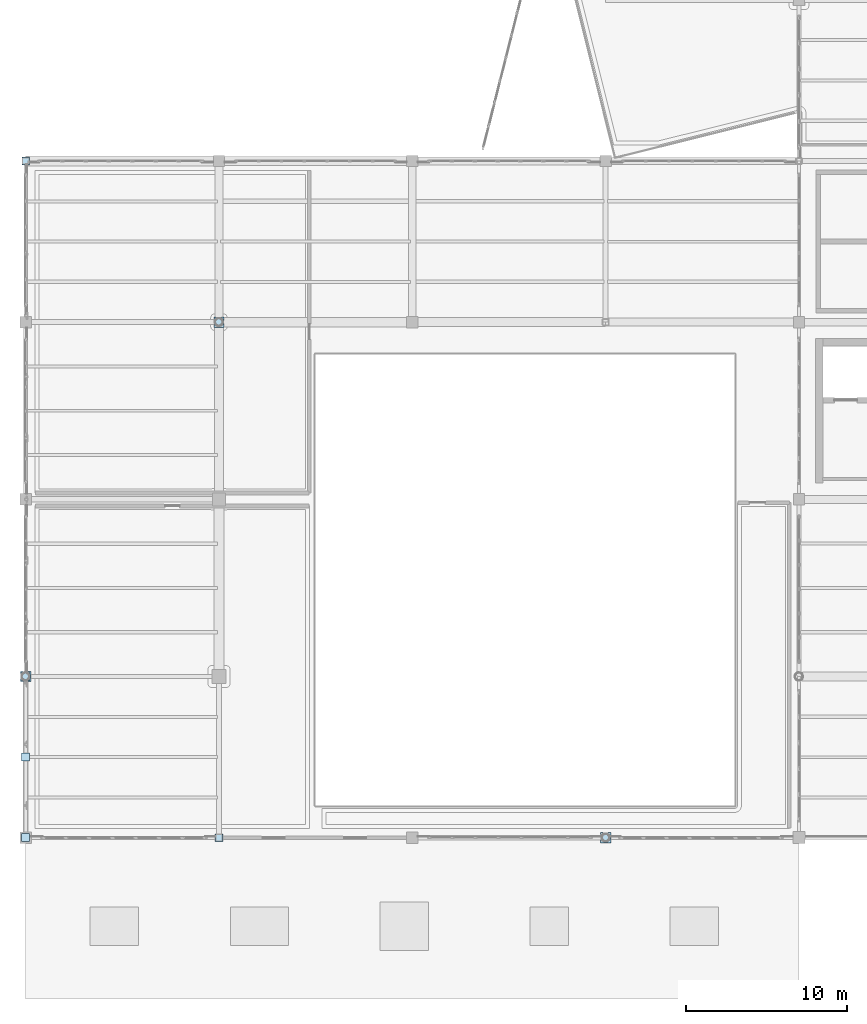
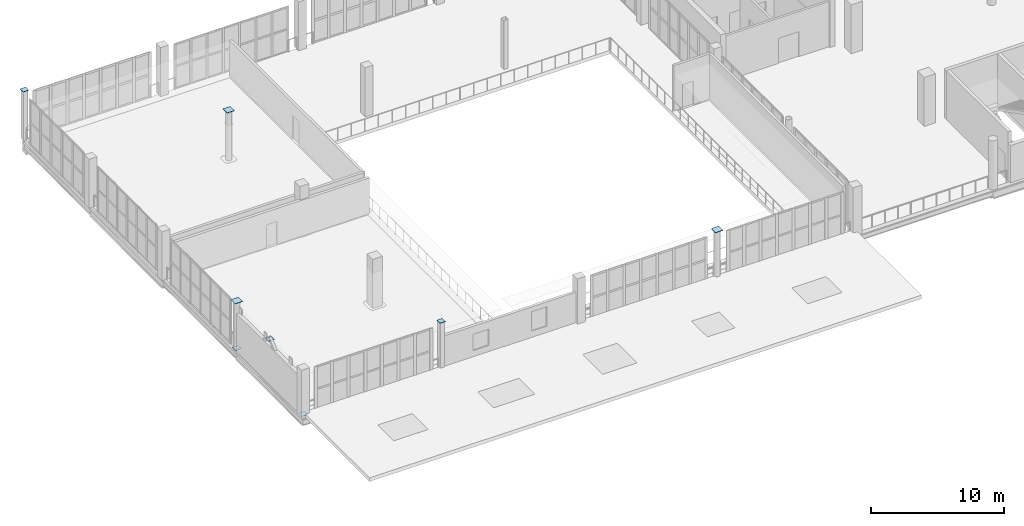
# One storey, part 77 of 108: 8 plates.
"""IFC4 building model written with IfcOpenShell, lengths in metres."""

import ifcopenshell
import ifcopenshell.guid

model = None  # the IFC model being written
_history = None  # IfcOwnerHistory: only IFC2X3 demands one
_inside = {}  # id of a spatial element -> (the spatial element, [elements in it])
_under = {}  # id of a project, library or spatial element -> (it, [spatial elements below it])
_declared = {}  # id of a project -> (the project, [libraries it declares])
_typed = {}  # id of a type object -> (the type object, [elements of that type])
_made_of = {}  # id of a material, layer set ... -> (it, [elements and type objects made of it])


def new_model(schema):
    """Start an empty IFC model of exactly this schema.

    Asked for "IFC4X3", IfcOpenShell would pick the latest addendum, in which some entities
    have other attributes; the version numbers below select the first issue.
    IFC2X3 requires an IfcOwnerHistory on every rooted entity: one is made here for all.
    """
    global model, _history
    if schema == "IFC4X3":
        model = ifcopenshell.file(schema_version=(4, 3, 0, 0))
    else:
        model = ifcopenshell.file(schema=schema)
    _inside.clear()
    _under.clear()
    _declared.clear()
    _typed.clear()
    _made_of.clear()
    _history = None
    if model.schema == "IFC2X3":
        org = make("IfcOrganization", Name="unknown")
        user = make(
            "IfcPersonAndOrganization",
            ThePerson=make("IfcPerson", FamilyName="unknown"),
            TheOrganization=org,
        )
        app = make(
            "IfcApplication",
            ApplicationDeveloper=org,
            Version="unknown",
            ApplicationFullName="unknown",
            ApplicationIdentifier="unknown",
        )
        _history = make(
            "IfcOwnerHistory",
            OwningUser=user,
            OwningApplication=app,
            ChangeAction="ADDED",
            CreationDate=0,
        )
    return model


def make(cls, **values):
    """One entity of the class cls with the attributes given. An attribute that is None is left unset."""
    return model.create_entity(
        cls, **{name: value for name, value in values.items() if value is not None}
    )


def rooted(cls, **values):
    """An entity with a GlobalId (a new one), such as an element, a storey or a relation."""
    return make(cls, GlobalId=ifcopenshell.guid.new(), OwnerHistory=_history, **values)


def si_unit(unit_type, name, prefix=None):
    """IfcSIUnit, for example si_unit("LENGTHUNIT", "METRE", prefix="MILLI")."""
    return make("IfcSIUnit", UnitType=unit_type, Prefix=prefix, Name=name)


def assignment(units):
    """IfcUnitAssignment: the units of a project."""
    return None if units is None else make("IfcUnitAssignment", Units=units)


def point(xyz):
    """IfcCartesianPoint."""
    return None if xyz is None else make("IfcCartesianPoint", Coordinates=xyz)


def direction(xyz):
    """IfcDirection."""
    return None if xyz is None else make("IfcDirection", DirectionRatios=xyz)


def frame(location, z_axis=None, x_axis=None):
    """IfcAxis2Placement3D, a coordinate frame: its origin and axes. An axis left out is left unset."""
    return make(
        "IfcAxis2Placement3D",
        Location=point(location),
        Axis=direction(z_axis),
        RefDirection=direction(x_axis),
    )


def frame_2d(location, x_axis=None):
    """IfcAxis2Placement2D, a coordinate frame in the plane: its origin and x axis."""
    return make(
        "IfcAxis2Placement2D", Location=point(location), RefDirection=direction(x_axis)
    )


def origin():
    """The frame at (0, 0, 0) with its axes left unset."""
    return frame((0.0, 0.0, 0.0))


def origin_2d():
    """The frame at (0, 0) in the plane with its x axis left unset."""
    return frame_2d((0.0, 0.0))


def place(relative_to, where):
    """IfcLocalPlacement: puts the frame where relative to a parent placement (None: the world)."""
    return make(
        "IfcLocalPlacement", PlacementRelTo=relative_to, RelativePlacement=where
    )


def context(
    kind, dimensions, precision=None, world=None, true_north=None, identifier=None
):
    """IfcGeometricRepresentationContext, for example the 3D "Model" context."""
    return make(
        "IfcGeometricRepresentationContext",
        ContextIdentifier=identifier,
        ContextType=kind,
        CoordinateSpaceDimension=dimensions,
        Precision=precision,
        WorldCoordinateSystem=world,
        TrueNorth=true_north,
    )


def subcontext(parent, identifier, kind, view, scale=None):
    """IfcGeometricRepresentationSubContext, for example "Body" below "Model"."""
    return make(
        "IfcGeometricRepresentationSubContext",
        ContextIdentifier=identifier,
        ContextType=kind,
        ParentContext=parent,
        TargetScale=scale,
        TargetView=view,
    )


def project(units=None, contexts=None):
    """IfcProject with its units and contexts."""
    return rooted(
        "IfcProject",
        Name="project",
        RepresentationContexts=contexts,
        UnitsInContext=assignment(units),
    )


def spatial(cls, under=None, at=None, **own):
    """A site, building, storey or space (cls), placed at a placement, below another one or the project."""
    s = rooted(cls, ObjectPlacement=at, **own)
    if under is not None:
        _under.setdefault(under.id(), (under, []))[1].append(s)
    return s


def profile(cls, at=None, kind="AREA", **sizes):
    """A parametric profile (cls). Its sizes go by their IFC names, for example OverallWidth=200.0."""
    return make(cls, ProfileType=kind, Position=at, **sizes)


def rectangle(**sizes):
    """IfcRectangleProfileDef."""
    return profile("IfcRectangleProfileDef", **sizes)


def extrude(swept, where, along, depth):
    """IfcExtrudedAreaSolid: the profile swept, set in the frame where, extruded along a direction by depth."""
    return make(
        "IfcExtrudedAreaSolid",
        SweptArea=swept,
        Position=where,
        ExtrudedDirection=direction(along),
        Depth=depth,
    )


def shape(context_of_items, identifier, shape_type, items):
    """IfcShapeRepresentation: the items that make up one representation, for example the "Body"."""
    return make(
        "IfcShapeRepresentation",
        ContextOfItems=context_of_items,
        RepresentationIdentifier=identifier,
        RepresentationType=shape_type,
        Items=items,
    )


def material(Name=None, Category=None):
    """IfcMaterial."""
    return make("IfcMaterial", Name=Name, Category=Category)


def layer(
    of_material, thickness, ventilated=None, Name=None, Category=None, Priority=None
):
    """IfcMaterialLayer: one layer of a wall or slab, of a material (None: an air gap)."""
    return make(
        "IfcMaterialLayer",
        Material=of_material,
        LayerThickness=thickness,
        IsVentilated=ventilated,
        Name=Name,
        Category=Category,
        Priority=Priority,
    )


def layer_set(layers, Name=None):
    """IfcMaterialLayerSet."""
    return make("IfcMaterialLayerSet", MaterialLayers=layers, LayerSetName=Name)


def made_of(thing, what):
    """Note that an element or type object is made of a material, layer set ...; save() writes the relation."""
    if what is not None:
        _made_of.setdefault(what.id(), (what, []))[1].append(thing)
    return thing


def type_object(cls, material=None, **own):
    """A type object (cls), such as IfcWallType, which elements share."""
    return made_of(rooted(cls, **own), material)


def element(
    cls,
    number,
    at=None,
    inside=None,
    cuts=None,
    type_object=None,
    material=None,
    context=None,
    identifier="Body",
    shape_type=None,
    held_by="IfcProductDefinitionShape",
    body=None,
    shapes=None,
    **own,
):
    """One element of the class cls, such as IfcWall. Its Tag is "e" and its number.

    at: its placement. inside: the storey or other place that contains it. cuts: it is an
    opening in that element (IfcRelVoidsElement). A single representation is given by context,
    identifier, shape_type and body (its items); several are given by shapes. held_by: the class
    of the entity that holds the representations. save() writes the other relations.
    """
    e = rooted(cls, Tag="e%d" % number, ObjectPlacement=at, **own)
    if body is not None:
        shapes = [shape(context, identifier, shape_type, body)]
    if shapes is not None:
        e.Representation = make(held_by, Representations=shapes)
    if inside is not None:
        _inside.setdefault(inside.id(), (inside, []))[1].append(e)
    if cuts is not None:
        rooted(
            "IfcRelVoidsElement", RelatingBuildingElement=cuts, RelatedOpeningElement=e
        )
    if type_object is not None:
        _typed.setdefault(type_object.id(), (type_object, []))[1].append(e)
    return made_of(e, material)


def aggregate(whole, parts):
    """IfcRelAggregates: a whole, such as a stair, and the parts it consists of."""
    return rooted("IfcRelAggregates", RelatingObject=whole, RelatedObjects=parts)


def save(model, path):
    """Write the relations noted so far, then the file.

    IfcRelAggregates (storeys below a building ...), IfcRelContainedInSpatialStructure (elements
    in a storey), IfcRelDefinesByType, IfcRelAssociatesMaterial and IfcRelDeclares: one each for
    every whole, place, type object, material and project.
    """
    for whole, parts in _under.values():
        aggregate(whole, parts)
    for where, things in _inside.values():
        rooted(
            "IfcRelContainedInSpatialStructure",
            RelatedElements=things,
            RelatingStructure=where,
        )
    for kind, things in _typed.values():
        rooted("IfcRelDefinesByType", RelatedObjects=things, RelatingType=kind)
    for what, things in _made_of.values():
        rooted("IfcRelAssociatesMaterial", RelatedObjects=things, RelatingMaterial=what)
    for by, libraries in _declared.values():
        rooted("IfcRelDeclares", RelatingContext=by, RelatedDefinitions=libraries)
    model.write(path)


model = new_model("IFC4")

# Units and contexts
model_context = context("Model", 3, precision=1e-05, world=origin(), true_north=direction((0.0, 1.0)))
body_context = subcontext(model_context, "Body", "Model", "MODEL_VIEW")
ifc_project = project(units=[si_unit("LENGTHUNIT", "METRE"), si_unit("AREAUNIT", "SQUARE_METRE"), si_unit("VOLUMEUNIT", "CUBIC_METRE"), si_unit("PLANEANGLEUNIT", "RADIAN"), si_unit("MASSUNIT", "GRAM", prefix="KILO")], contexts=[model_context])

# Site, building, storey
site_placement = place(None, origin())
site = spatial("IfcSite", under=ifc_project, at=site_placement, CompositionType="ELEMENT")
building_placement = place(site_placement, origin())
building = spatial("IfcBuilding", under=site, at=building_placement, Name="Brinegate Civic Arena", CompositionType="ELEMENT")
storey_placement = place(building_placement, frame((0.0, 0.0, 10.199951171875)))
storey = spatial("IfcBuildingStorey", under=building, at=storey_placement, Name="L02", CompositionType="ELEMENT", Elevation=10.199951171875)

# Plates
ifc_material = material(Name="Steel S355", Category="steel")
ifc_layer_1 = layer(ifc_material, 0.02392578125, Name="Steel S355")
ifc_layer_set_1 = layer_set([ifc_layer_1], Name="Steel S355")
plate_type_1 = type_object("IfcPlateType", Name="PLATE-BASE-480X24", PredefinedType="SHEET", material=ifc_layer_set_1)
for number, where, z_axis, x_axis, name in (
    (1, (0.0, 52.0, 4.4970703125), (0.0, 0.0, 1.0), (1.0, 0.0, 0.0), "Welded Steel Column Node Cap Plate CPL-TOP-002"),
    (2, (12.0, 10.0, 4.4970703125), (0.0, 0.0, 1.0), (1.0, 0.0, 0.0), "Welded Steel Column Node Cap Plate CPL-TOP-010"),
):
    element("IfcPlate", number, at=place(storey_placement, frame(where, z_axis=z_axis, x_axis=x_axis)), inside=storey, type_object=plate_type_1, Name=name, PredefinedType="SHEET", context=body_context, shape_type="SweptSolid", body=[
        extrude(rectangle(XDim=0.47998046875, YDim=0.47998046875, at=origin_2d()), origin(), (0.0, 0.0, 1.0), 0.02392578125),
    ])
ifc_layer_2 = layer(ifc_material, 0.02587890625, Name="Steel S355")
ifc_layer_set_2 = layer_set([ifc_layer_2], Name="Steel S355")
plate_type_2 = type_object("IfcPlateType", Name="PLATE-BASE-640X26", PredefinedType="SHEET", material=ifc_layer_set_2)
for number, where, z_axis, x_axis, name in (
    (3, (0.0, 20.0, 4.4970703125), (0.0, 0.0, 1.0), (1.0, 0.0, 0.0), "Welded Steel Column Node Cap Plate CPL-TOP-001"),
    (4, (12.0, 42.0, 4.4970703125), (0.0, 0.0, 1.0), (1.0, 0.0, 0.0), "Welded Steel Column Node Cap Plate CPL-TOP-011"),
    (5, (36.0, 10.0, 4.4970703125), (0.0, 0.0, 1.0), (1.0, 0.0, 0.0), "Welded Steel Column Node Cap Plate CPL-TOP-021"),
):
    element("IfcPlate", number, at=place(storey_placement, frame(where, z_axis=z_axis, x_axis=x_axis)), inside=storey, type_object=plate_type_2, Name=name, PredefinedType="SHEET", context=body_context, shape_type="SweptSolid", body=[
        extrude(rectangle(XDim=0.639892578125, YDim=0.639892578125, at=origin_2d()), origin(), (0.0, 0.0, 1.0), 0.02587890625),
    ])
ifc_layer_3 = layer(ifc_material, 0.02001953125, Name="Steel S355")
ifc_layer_set_3 = layer_set([ifc_layer_3], Name="Steel S355")
plate_type_3 = type_object("IfcPlateType", Name="PLATE-GUSSET-500X20", PredefinedType="SHEET", material=ifc_layer_set_3)
for number, where, z_axis, x_axis, name in (
    (6, (0.0, 15.0, 4.02001953125), (0.0, 0.0, 1.0), (1.0, 0.0, 0.0), "Chevron Gusset Plate GPL-05"),
    (7, (0.0, 10.0, 0.14013671875), (0.0, 0.0, 1.0), (1.0, 0.0, 0.0), "Chevron Base Gusset Plate GPL-05-BA"),
    (8, (0.0, 20.0, 0.14013671875), (0.0, 0.0, 1.0), (1.0, 0.0, 0.0), "Chevron Base Gusset Plate GPL-05-BB"),
):
    element("IfcPlate", number, at=place(storey_placement, frame(where, z_axis=z_axis, x_axis=x_axis)), inside=storey, type_object=plate_type_3, Name=name, PredefinedType="SHEET", context=body_context, shape_type="SweptSolid", body=[
        extrude(rectangle(XDim=0.5, YDim=0.5, at=origin_2d()), origin(), (0.0, 0.0, 1.0), 0.02001953125),
    ])

save(model, "model.ifc")
